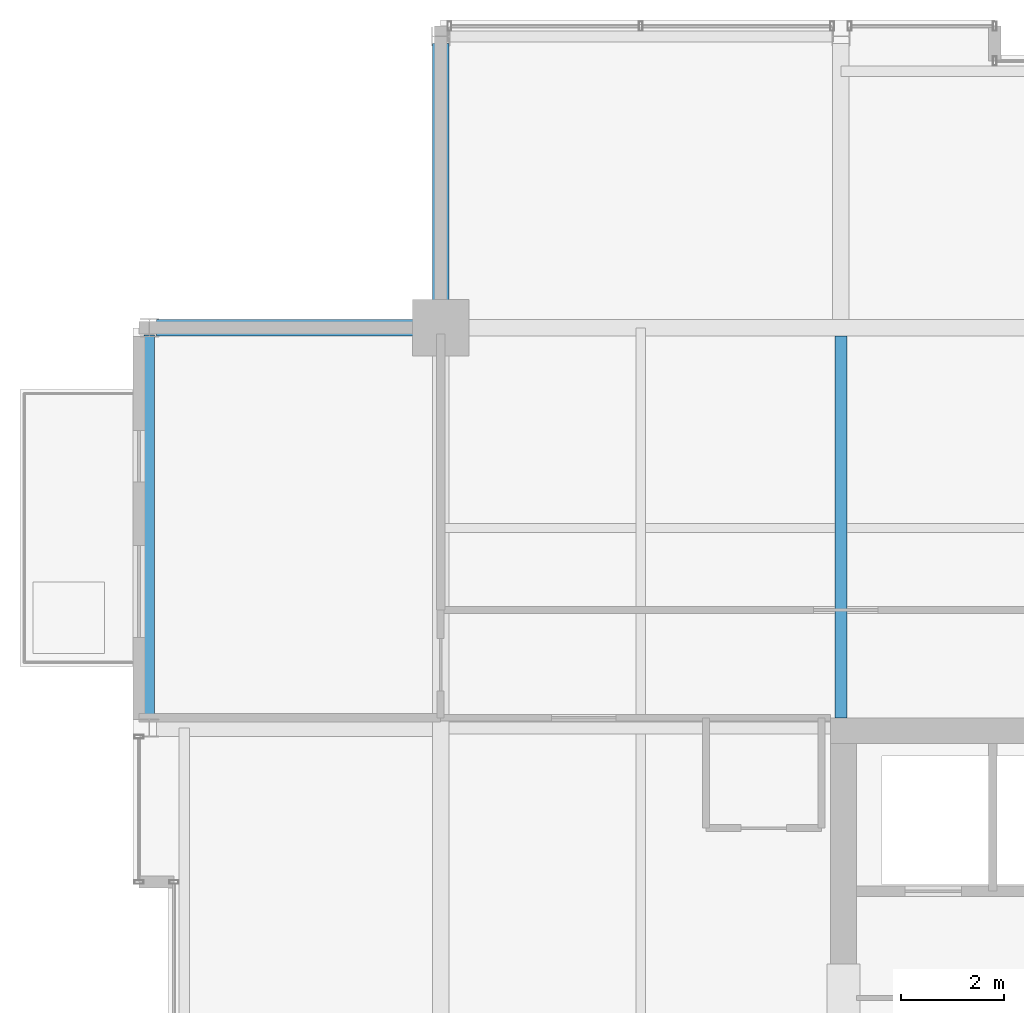
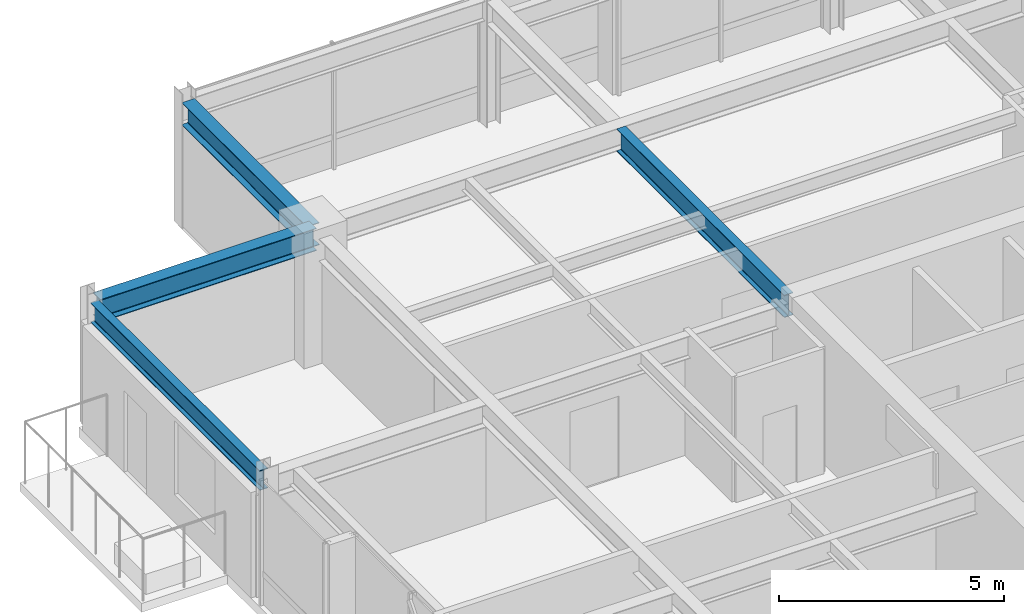
# One storey, part 20 of 33: 4 beams.
"""IFC4 building model written with IfcOpenShell, lengths in metres."""

from ifc_helpers import new_model, si_unit, direction, frame, origin, origin_2d, place, context, subcontext, project, spatial, i_section, extrude, material, material_profile, profile_set, type_object, element, save


model = new_model("IFC4")

# Units and contexts
model_context = context("Model", 3, precision=1e-05, world=origin(), true_north=direction((0.0, 1.0)))
body_context = subcontext(model_context, "Body", "Model", "MODEL_VIEW")
ifc_project = project(units=[si_unit("LENGTHUNIT", "METRE"), si_unit("AREAUNIT", "SQUARE_METRE"), si_unit("VOLUMEUNIT", "CUBIC_METRE"), si_unit("PLANEANGLEUNIT", "RADIAN"), si_unit("MASSUNIT", "GRAM", prefix="KILO")], contexts=[model_context])

# Site, building, storey
site_placement = place(None, origin())
site = spatial("IfcSite", under=ifc_project, at=site_placement, CompositionType="ELEMENT")
building_placement = place(site_placement, origin())
building = spatial("IfcBuilding", under=site, at=building_placement, Name="Drelvath Grand Hotel", CompositionType="ELEMENT")
storey_placement = place(building_placement, frame((0.0, 0.0, 279.60009765625)))
storey = spatial("IfcBuildingStorey", under=building, at=storey_placement, Name="L73", CompositionType="ELEMENT", Elevation=279.60009765625)

# Beams
ifc_material = material(Name="Steel ASTM A992 Gr 50", Category="steel")
ifc_material_profile_1 = material_profile(ifc_material, i_section(OverallWidth=0.210205078125, OverallDepth=0.53662109375, WebThickness=0.010986328125, FlangeThickness=0.017333984375, FilletRadius=0.01806640625, at=origin_2d()), Name="W21X68")
ifc_profile_set_1 = profile_set([ifc_material_profile_1], Name="Steel ASTM A992 Gr 50")
beam_type_1 = type_object("IfcBeamType", Name="Perimeter Spandrel Beam W21X68", PredefinedType="SPANDREL", material=ifc_profile_set_1)
beam_1_placement = place(storey_placement, frame((-21.8798828125, 35.5400390625, 3.12158203125), z_axis=(0.0, 1.0, 0.0), x_axis=(-1.0, 0.0, 0.0)))
element("IfcBeam", 1, at=beam_1_placement, inside=storey, type_object=beam_type_1, Name="L73 Spandrel West N", PredefinedType="SPANDREL", context=body_context, shape_type="SweptSolid", body=[
    extrude(i_section(OverallWidth=0.210205078125, OverallDepth=0.53662109375, WebThickness=0.010986328125, FlangeThickness=0.017333984375, FilletRadius=0.01806640625, at=origin_2d()), origin(), (0.0, 0.0, 1.0), 7.52001953125),
])
ifc_material_profile_2 = material_profile(ifc_material, i_section(OverallWidth=0.323974609375, OverallDepth=0.611083984375, WebThickness=0.0126953125, FlangeThickness=0.01904296875, FilletRadius=0.02197265625, at=origin_2d()), Name="W24X104")
ifc_profile_set_2 = profile_set([ifc_material_profile_2], Name="Steel ASTM A992 Gr 50")
beam_type_2 = type_object("IfcBeamType", Name="Primary Floor Girder W24X104", PredefinedType="BEAM", material=ifc_profile_set_2)
for number, where, z_axis, x_axis, name in (
    (2, (-21.739990234375, 43.199951171875, 3.08447265625), (1.0, 0.0, 0.0), (0.0, 1.0, 0.0), "L73 West Grid Girder G"),
    (3, (-16.199951171875, 43.199951171875, 3.08447265625), (0.0, 1.0, 0.0), (-1.0, 0.0, 0.0), "L73 North Grid Girder 3"),
):
    element("IfcBeam", number, at=place(storey_placement, frame(where, z_axis=z_axis, x_axis=x_axis)), inside=storey, type_object=beam_type_2, Name=name, PredefinedType="BEAM", context=body_context, shape_type="SweptSolid", body=[
        extrude(i_section(OverallWidth=0.323974609375, OverallDepth=0.611083984375, WebThickness=0.0126953125, FlangeThickness=0.01904296875, FilletRadius=0.02197265625, at=origin_2d()), origin(), (0.0, 0.0, 1.0), 5.5400390625),
    ])
ifc_material_profile_3 = material_profile(ifc_material, i_section(OverallWidth=0.228271484375, OverallDepth=0.607666015625, WebThickness=0.01123046875, FlangeThickness=0.017333984375, FilletRadius=0.02001953125, at=origin_2d()), Name="W24X76")
ifc_profile_set_3 = profile_set([ifc_material_profile_3], Name="Steel ASTM A992 Gr 50")
beam_type_3 = type_object("IfcBeamType", Name="Primary Floor Girder W24X76", PredefinedType="BEAM", material=ifc_profile_set_3)
beam_2_placement = place(storey_placement, frame((-8.39990234375, 35.60009765625, 3.086181640625), z_axis=(0.0, 1.0, 0.0), x_axis=(-1.0, 0.0, 0.0)))
element("IfcBeam", 4, at=beam_2_placement, inside=storey, type_object=beam_type_3, Name="L73 North Core Tie 4", PredefinedType="BEAM", context=body_context, shape_type="SweptSolid", body=[
    extrude(i_section(OverallWidth=0.228271484375, OverallDepth=0.607666015625, WebThickness=0.01123046875, FlangeThickness=0.017333984375, FilletRadius=0.02001953125, at=origin_2d()), origin(), (0.0, 0.0, 1.0), 7.43798828125),
])

save(model, "model.ifc")
